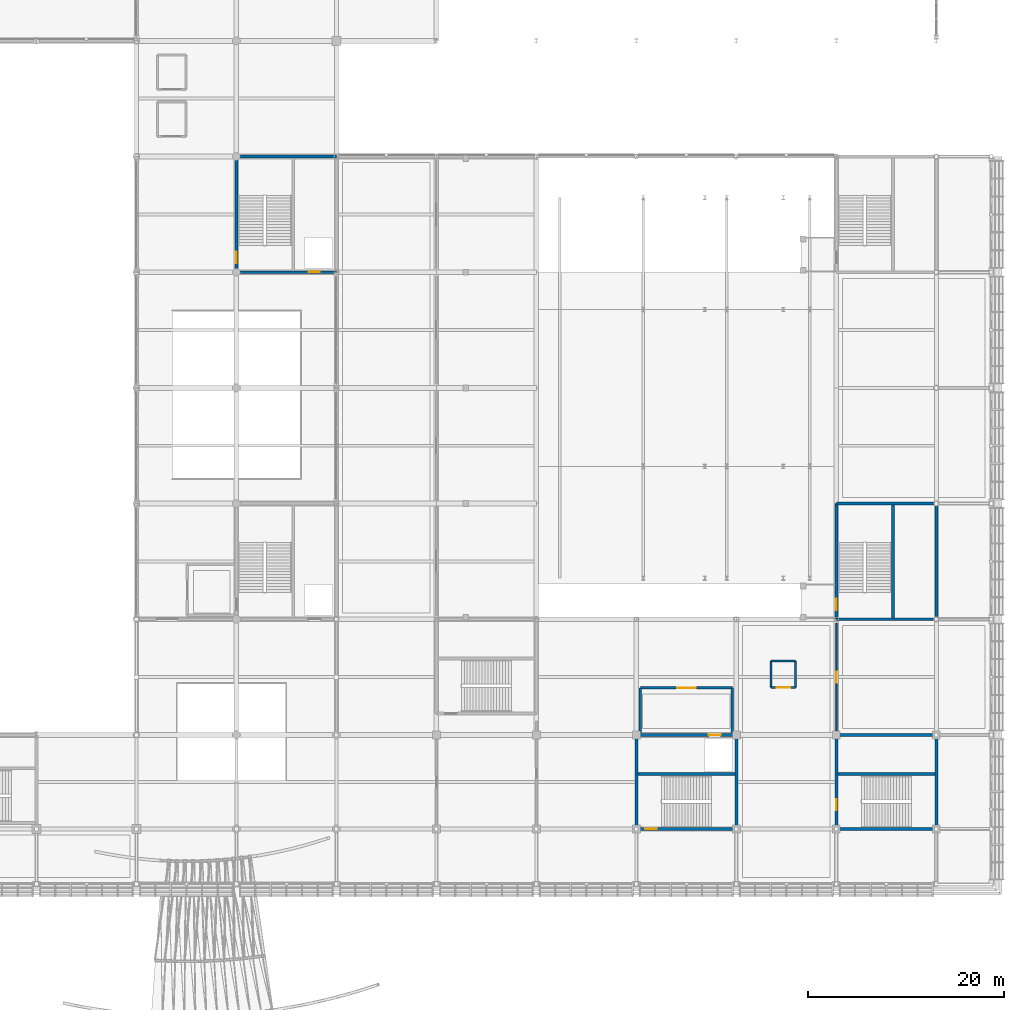
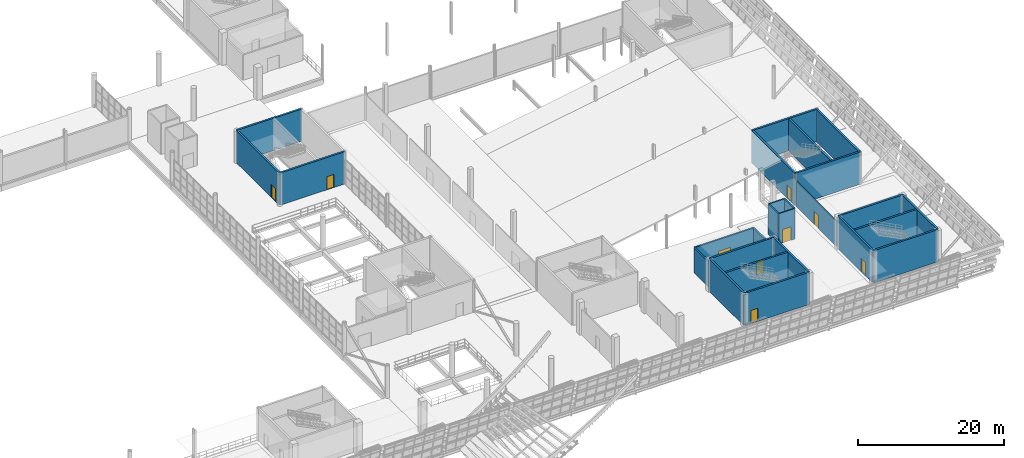
# One storey, part 134 of 175: 26 walls, 9 doors, 9 openings.
"""IFC4 building model written with IfcOpenShell, lengths in metres."""

from ifc_helpers import new_model, si_unit, direction, frame, frame_2d, origin, place, context, subcontext, project, spatial, rectangle, extrude, material, layer, layer_set, type_object, element, fill, save


model = new_model("IFC4")

# Units and contexts
model_context = context("Model", 3, precision=1e-05, world=origin(), true_north=direction((0.0, 1.0)))
body_context = subcontext(model_context, "Body", "Model", "MODEL_VIEW")
ifc_project = project(units=[si_unit("LENGTHUNIT", "METRE"), si_unit("AREAUNIT", "SQUARE_METRE"), si_unit("VOLUMEUNIT", "CUBIC_METRE"), si_unit("PLANEANGLEUNIT", "RADIAN"), si_unit("MASSUNIT", "GRAM", prefix="KILO")], contexts=[model_context])

# Site, building, storey
site_placement = place(None, origin())
site = spatial("IfcSite", under=ifc_project, at=site_placement, CompositionType="ELEMENT")
building_placement = place(site_placement, origin())
building = spatial("IfcBuilding", under=site, at=building_placement, Name="Brelvane Convention Centre", CompositionType="ELEMENT")
storey_placement = place(building_placement, frame((0.0, 0.0, 5.39990234375)))
storey = spatial("IfcBuildingStorey", under=building, at=storey_placement, Name="L01", CompositionType="ELEMENT", Elevation=5.39990234375)

# Wall, opening, door
ifc_material_1 = material(Name="Fire-Rated Acoustic Gypsum Partition Board Grade A")
ifc_layer_1 = layer(ifc_material_1, 0.1650390625)
ifc_layer_set_1 = layer_set([ifc_layer_1], Name="Fire-Rated Acoustic Gypsum Partition Board Grade A")
wall_type_1 = type_object("IfcWallType", Name="Interior Wall IW-AC-165", PredefinedType="PARTITIONING", material=ifc_layer_set_1)
wall_1_placement = place(storey_placement, frame((214.199951171875, 29.199951171875, 0.0), z_axis=(0.0, 0.0, 1.0), x_axis=(0.0, 1.0, 0.0)))
wall_1 = element("IfcWall", 1, at=wall_1_placement, inside=storey, type_object=wall_type_1, Name="Interior Partition L01-BUS1", PredefinedType="PARTITIONING", context=body_context, shape_type="SweptSolid", body=[
    extrude(rectangle(XDim=11.0, YDim=0.1650390625, at=frame_2d((5.5, 0.0))), origin(), (0.0, 0.0, 1.0), 4.2001953125),
])
opening_1_placement = place(wall_1_placement, frame((4.93994140625, 0.0, 0.0)))
opening_1 = element("IfcOpeningElement", 2, at=opening_1_placement, cuts=wall_1, Name="Opening DR-IN-13R", PredefinedType="OPENING", context=body_context, shape_type="SweptSolid", body=[
    extrude(rectangle(XDim=1.1201171875, YDim=2.179931640625, at=frame_2d((0.56005859375, 1.08984375))), frame((0.0, 0.092529296875, 0.0), z_axis=(0.0, -1.0, 0.0), x_axis=(1.0, 0.0, 0.0)), (0.0, 0.0, 1.0), 0.18505859375),
])
ifc_material_2 = material(Name="Solid-Core Fire-Rated Hardwood Leaf Grade 1", Category="wood")
door_type_1 = type_object("IfcDoorType", Name="Interior Door DR-IN-13R", OperationType="NOTDEFINED", PredefinedType="DOOR", material=ifc_material_2)
door_1_placement = place(opening_1_placement, origin())
door_1 = element("IfcDoor", 3, at=door_1_placement, inside=storey, type_object=door_type_1, Name="Interior Door L01-BUS1 (DR-IN-13R)", OperationType="SINGLE_SWING_RIGHT", OverallHeight=2.179931640625, OverallWidth=1.1201171875, PredefinedType="DOOR", context=body_context, shape_type="SweptSolid", body=[
    extrude(rectangle(XDim=1.1201171875, YDim=2.179931640625, at=frame_2d((0.56005859375, 1.08984375))), frame((0.0, 0.02490234375, 0.0), z_axis=(0.0, -1.0, 0.0), x_axis=(1.0, 0.0, 0.0)), (0.0, 0.0, 1.0), 0.050048828125),
])
fill(opening_1, door_1)

ifc_material_3 = material(Name="Concrete M40", Category="concrete")
ifc_layer_2 = layer(ifc_material_3, 0.219970703125)
ifc_layer_set_2 = layer_set([ifc_layer_2], Name="Concrete M40")
wall_type_2 = type_object("IfcWallType", Name="Interior Wall IW-FR-220", PredefinedType="PARTITIONING", material=ifc_layer_set_2)
wall_2_placement = place(storey_placement, frame((207.550048828125, 33.64990234375, 0.0), z_axis=(0.0, 0.0, 1.0), x_axis=(1.0, 0.0, 0.0)))
wall_2 = element("IfcWall", 4, at=wall_2_placement, inside=storey, type_object=wall_type_2, Name="Lift LP-05 Shaft Wall S (L01)", PredefinedType="PARTITIONING", context=body_context, shape_type="SweptSolid", body=[
    extrude(rectangle(XDim=2.5, YDim=0.219970703125, at=frame_2d((1.25, 0.0))), origin(), (0.0, 0.0, 1.0), 5.1201171875),
])
opening_2_placement = place(wall_2_placement, frame((0.574951171875, 0.0, 0.0)))
opening_2 = element("IfcOpeningElement", 5, at=opening_2_placement, cuts=wall_2, Name="Opening LD-03", PredefinedType="OPENING", context=body_context, shape_type="SweptSolid", body=[
    extrude(rectangle(XDim=1.35009765625, YDim=2.300048828125, at=frame_2d((0.675048828125, 1.14990234375))), frame((0.0, 0.119873046875, 0.0), z_axis=(0.0, -1.0, 0.0), x_axis=(1.0, 0.0, 0.0)), (0.0, 0.0, 1.0), 0.239990234375),
])
ifc_material_4 = material(Name="Galvanised Hollow-Metal Fire Door Steel E250", Category="steel")
door_type_2 = type_object("IfcDoorType", Name="Interior Door LD-03", OperationType="NOTDEFINED", PredefinedType="DOOR", material=ifc_material_4)
door_2_placement = place(opening_2_placement, origin())
door_2 = element("IfcDoor", 6, at=door_2_placement, inside=storey, type_object=door_type_2, Name="Lift LP-05 Landing Door (L01)", OperationType="DOUBLE_DOOR_SLIDING", OverallHeight=2.300048828125, OverallWidth=1.35009765625, PredefinedType="DOOR", context=body_context, shape_type="SweptSolid", body=[
    extrude(rectangle(XDim=1.35009765625, YDim=2.300048828125, at=frame_2d((0.675048828125, 1.14990234375))), frame((0.0, 0.02490234375, 0.0), z_axis=(0.0, -1.0, 0.0), x_axis=(1.0, 0.0, 0.0)), (0.0, 0.0, 1.0), 0.050048828125),
])
fill(opening_2, door_2)

# Walls
wall_3_placement = place(storey_placement, frame((207.550048828125, 36.35009765625, 0.0), z_axis=(0.0, 0.0, 1.0), x_axis=(1.0, 0.0, 0.0)))
element("IfcWall", 7, at=wall_3_placement, inside=storey, type_object=wall_type_2, Name="Lift LP-05 Shaft Wall N (L01)", PredefinedType="PARTITIONING", context=body_context, shape_type="SweptSolid", body=[
    extrude(rectangle(XDim=2.5, YDim=0.219970703125, at=frame_2d((1.25, 0.0))), origin(), (0.0, 0.0, 1.0), 5.1201171875),
])
for number, where, z_axis, x_axis, name in (
    (8, (207.550048828125, 33.64990234375, 0.0), (0.0, 0.0, 1.0), (0.0, 1.0, 0.0), "Lift LP-05 Shaft Wall W (L01)"),
    (9, (210.050048828125, 33.64990234375, 0.0), (0.0, 0.0, 1.0), (0.0, 1.0, 0.0), "Lift LP-05 Shaft Wall E (L01)"),
):
    element("IfcWall", number, at=place(storey_placement, frame(where, z_axis=z_axis, x_axis=x_axis)), inside=storey, type_object=wall_type_2, Name=name, PredefinedType="PARTITIONING", context=body_context, shape_type="SweptSolid", body=[
        extrude(rectangle(XDim=2.7001953125, YDim=0.219970703125, at=frame_2d((1.35009765625, 0.0))), origin(), (0.0, 0.0, 1.0), 5.1201171875),
    ])

# Wall, opening, door
ifc_material_5 = material(Name="Concrete M40", Category="concrete")
ifc_layer_3 = layer(ifc_material_5, 0.239990234375)
ifc_layer_set_3 = layer_set([ifc_layer_3], Name="Concrete M40")
wall_type_3 = type_object("IfcWallType", Name="Interior Wall IW-FR-240", PredefinedType="PARTITIONING", material=ifc_layer_set_3)
wall_4_placement = place(storey_placement, frame((194.199951171875, 33.60009765625, 0.0), z_axis=(0.0, 0.0, 1.0), x_axis=(1.0, 0.0, 0.0)))
wall_4 = element("IfcWall", 10, at=wall_4_placement, inside=storey, type_object=wall_type_3, Name="Firefighting Lobby C8 Wall N (L01)", PredefinedType="PARTITIONING", context=body_context, shape_type="SweptSolid", body=[
    extrude(rectangle(XDim=9.400146484375, YDim=0.239990234375, at=frame_2d((4.7001953125, 0.0))), origin(), (0.0, 0.0, 1.0), 4.2001953125),
])
opening_3_placement = place(wall_4_placement, frame((3.75, 0.0, 0.0)))
opening_3 = element("IfcOpeningElement", 11, at=opening_3_placement, cuts=wall_4, Name="Opening DR-FL-01", PredefinedType="OPENING", context=body_context, shape_type="SweptSolid", body=[
    extrude(rectangle(XDim=1.89990234375, YDim=2.25, at=frame_2d((0.949951171875, 1.125))), frame((0.0, 0.1298828125, 0.0), z_axis=(0.0, -1.0, 0.0), x_axis=(1.0, 0.0, 0.0)), (0.0, 0.0, 1.0), 0.260009765625),
])
ifc_material_6 = material(Name="Galvanised Hollow-Metal Fire Door Steel E250", Category="steel")
door_type_3 = type_object("IfcDoorType", Name="Interior Door DR-FL-01", OperationType="NOTDEFINED", PredefinedType="DOOR", material=ifc_material_6)
door_3_placement = place(opening_3_placement, origin())
door_3 = element("IfcDoor", 12, at=door_3_placement, inside=storey, type_object=door_type_3, Name="Firefighting Lobby C8 Smoke Door (L01)", OperationType="DOUBLE_DOOR_SINGLE_SWING", OverallHeight=2.25, OverallWidth=1.89990234375, PredefinedType="DOOR", context=body_context, shape_type="SweptSolid", body=[
    extrude(rectangle(XDim=1.89990234375, YDim=2.25, at=frame_2d((0.949951171875, 1.125))), frame((0.0, 0.02490234375, 0.0), z_axis=(0.0, -1.0, 0.0), x_axis=(1.0, 0.0, 0.0)), (0.0, 0.0, 1.0), 0.050048828125),
])
fill(opening_3, door_3)

# Walls
for number, where, z_axis, x_axis, name in (
    (13, (203.60009765625, 29.0, 0.0), (0.0, 0.0, 1.0), (0.0, 1.0, 0.0), "Firefighting Lobby C8 Wall E (L01)"),
    (14, (194.199951171875, 29.0, 0.0), (0.0, 0.0, 1.0), (0.0, 1.0, 0.0), "Firefighting Lobby C8 Wall W (L01)"),
):
    element("IfcWall", number, at=place(storey_placement, frame(where, z_axis=z_axis, x_axis=x_axis)), inside=storey, type_object=wall_type_3, Name=name, PredefinedType="PARTITIONING", context=body_context, shape_type="SweptSolid", body=[
        extrude(rectangle(XDim=4.60009765625, YDim=0.239990234375, at=frame_2d((2.300048828125, 0.0))), origin(), (0.0, 0.0, 1.0), 4.2001953125),
    ])

# Wall, opening, door
ifc_material_7 = material(Name="Concrete M50", Category="concrete")
ifc_layer_4 = layer(ifc_material_7, 0.300048828125)
ifc_layer_set_4 = layer_set([ifc_layer_4], Name="Concrete M50")
wall_type_4 = type_object("IfcWallType", Name="Structural Wall WL-CORE-300", PredefinedType="SHEAR", material=ifc_layer_set_4)
wall_5_placement = place(storey_placement, frame((153.0, 76.0, 0.0), z_axis=(0.0, 0.0, 1.0), x_axis=(1.0, 0.0, 0.0)))
wall_5 = element("IfcWall", 15, at=wall_5_placement, inside=storey, type_object=wall_type_4, Name="Core C4 Shear Wall S (L01)", PredefinedType="SHEAR", context=body_context, shape_type="SweptSolid", body=[
    extrude(rectangle(XDim=10.199951171875, YDim=0.300048828125, at=frame_2d((5.10009765625, 0.0))), origin(), (0.0, 0.0, 1.0), 5.400146484375),
])
opening_4_placement = place(wall_5_placement, frame((7.39990234375, 0.0, 0.0)))
opening_4 = element("IfcOpeningElement", 16, at=opening_4_placement, cuts=wall_5, Name="Opening LD-02", PredefinedType="OPENING", context=body_context, shape_type="SweptSolid", body=[
    extrude(rectangle(XDim=1.10009765625, YDim=2.199951171875, at=frame_2d((0.550048828125, 1.10009765625))), frame((0.0, 0.159912109375, 0.0), z_axis=(0.0, -1.0, 0.0), x_axis=(1.0, 0.0, 0.0)), (0.0, 0.0, 1.0), 0.320068359375),
])
ifc_material_8 = material(Name="Galvanised Hollow-Metal Fire Door Steel E250", Category="steel")
door_type_4 = type_object("IfcDoorType", Name="Interior Door LD-02", OperationType="NOTDEFINED", PredefinedType="DOOR", material=ifc_material_8)
door_4_placement = place(opening_4_placement, origin())
door_4 = element("IfcDoor", 17, at=door_4_placement, inside=storey, type_object=door_type_4, Name="Lift LP-02 Landing Door (L01)", OperationType="SLIDING_TO_RIGHT", OverallHeight=2.199951171875, OverallWidth=1.10009765625, PredefinedType="DOOR", context=body_context, shape_type="SweptSolid", body=[
    extrude(rectangle(XDim=1.10009765625, YDim=2.199951171875, at=frame_2d((0.550048828125, 1.10009765625))), frame((0.0, 0.02490234375, 0.0), z_axis=(0.0, -1.0, 0.0), x_axis=(1.0, 0.0, 0.0)), (0.0, 0.0, 1.0), 0.050048828125),
])
fill(opening_4, door_4)

# Wall
wall_6_placement = place(storey_placement, frame((153.0, 87.800048828125, 0.0), z_axis=(0.0, 0.0, 1.0), x_axis=(1.0, 0.0, 0.0)))
element("IfcWall", 18, at=wall_6_placement, inside=storey, type_object=wall_type_4, Name="Core C4 Shear Wall N (L01)", PredefinedType="SHEAR", context=body_context, shape_type="SweptSolid", body=[
    extrude(rectangle(XDim=10.199951171875, YDim=0.300048828125, at=frame_2d((5.10009765625, 0.0))), origin(), (0.0, 0.0, 1.0), 5.400146484375),
])

# Wall, opening, door
wall_7_placement = place(storey_placement, frame((153.0, 76.0, 0.0), z_axis=(0.0, 0.0, 1.0), x_axis=(0.0, 1.0, 0.0)))
wall_7 = element("IfcWall", 19, at=wall_7_placement, inside=storey, type_object=wall_type_4, Name="Core C4 Shear Wall W (L01)", PredefinedType="SHEAR", context=body_context, shape_type="SweptSolid", body=[
    extrude(rectangle(XDim=11.800048828125, YDim=0.300048828125, at=frame_2d((5.89990234375, 0.0))), origin(), (0.0, 0.0, 1.0), 5.400146484375),
])
opening_5_placement = place(wall_7_placement, frame((0.919921875, 0.0, 0.0)))
opening_5 = element("IfcOpeningElement", 20, at=opening_5_placement, cuts=wall_7, Name="Opening DR-IN-04L", PredefinedType="OPENING", context=body_context, shape_type="SweptSolid", body=[
    extrude(rectangle(XDim=1.159912109375, YDim=2.199951171875, at=frame_2d((0.580078125, 1.10009765625))), frame((0.0, 0.159912109375, 0.0), z_axis=(0.0, -1.0, 0.0), x_axis=(1.0, 0.0, 0.0)), (0.0, 0.0, 1.0), 0.320068359375),
])
ifc_material_9 = material(Name="Galvanised Hollow-Metal Fire Door Steel E250", Category="steel")
door_type_5 = type_object("IfcDoorType", Name="Interior Door DR-IN-04L", OperationType="NOTDEFINED", PredefinedType="DOOR", material=ifc_material_9)
door_5_placement = place(opening_5_placement, origin())
door_5 = element("IfcDoor", 21, at=door_5_placement, inside=storey, type_object=door_type_5, Name="Stair ST-04 Door (L01)", OperationType="SINGLE_SWING_LEFT", OverallHeight=2.199951171875, OverallWidth=1.159912109375, PredefinedType="DOOR", context=body_context, shape_type="SweptSolid", body=[
    extrude(rectangle(XDim=1.159912109375, YDim=2.199951171875, at=frame_2d((0.580078125, 1.10009765625))), frame((0.0, 0.02490234375, 0.0), z_axis=(0.0, -1.0, 0.0), x_axis=(1.0, 0.0, 0.0)), (0.0, 0.0, 1.0), 0.050048828125),
])
fill(opening_5, door_5)

wall_8_placement = place(storey_placement, frame((193.800048828125, 19.199951171875, 0.0), z_axis=(0.0, 0.0, 1.0), x_axis=(1.0, 0.0, 0.0)))
wall_8 = element("IfcWall", 22, at=wall_8_placement, inside=storey, type_object=wall_type_4, Name="Core C8 Shear Wall S (L01)", PredefinedType="SHEAR", context=body_context, shape_type="SweptSolid", body=[
    extrude(rectangle(XDim=10.199951171875, YDim=0.300048828125, at=frame_2d((5.10009765625, 0.0))), origin(), (0.0, 0.0, 1.0), 5.400146484375),
])
opening_6_placement = place(wall_8_placement, frame((0.919921875, 0.0, 0.0)))
opening_6 = element("IfcOpeningElement", 23, at=opening_6_placement, cuts=wall_8, Name="Opening DR-IN-04L", PredefinedType="OPENING", context=body_context, shape_type="SweptSolid", body=[
    extrude(rectangle(XDim=1.159912109375, YDim=2.199951171875, at=frame_2d((0.580078125, 1.10009765625))), frame((0.0, 0.159912109375, 0.0), z_axis=(0.0, -1.0, 0.0), x_axis=(1.0, 0.0, 0.0)), (0.0, 0.0, 1.0), 0.320068359375),
])
door_6_placement = place(opening_6_placement, origin())
door_6 = element("IfcDoor", 24, at=door_6_placement, inside=storey, type_object=door_type_5, Name="Stair ST-08 Door (L01)", OperationType="SINGLE_SWING_LEFT", OverallHeight=2.199951171875, OverallWidth=1.159912109375, PredefinedType="DOOR", context=body_context, shape_type="SweptSolid", body=[
    extrude(rectangle(XDim=1.159912109375, YDim=2.199951171875, at=frame_2d((0.580078125, 1.10009765625))), frame((0.0, 0.02490234375, 0.0), z_axis=(0.0, -1.0, 0.0), x_axis=(1.0, 0.0, 0.0)), (0.0, 0.0, 1.0), 0.050048828125),
])
fill(opening_6, door_6)

wall_9_placement = place(storey_placement, frame((193.800048828125, 28.800048828125, 0.0), z_axis=(0.0, 0.0, 1.0), x_axis=(1.0, 0.0, 0.0)))
wall_9 = element("IfcWall", 25, at=wall_9_placement, inside=storey, type_object=wall_type_4, Name="Core C8 Shear Wall N (L01)", PredefinedType="SHEAR", context=body_context, shape_type="SweptSolid", body=[
    extrude(rectangle(XDim=10.199951171875, YDim=0.300048828125, at=frame_2d((5.10009765625, 0.0))), origin(), (0.0, 0.0, 1.0), 5.400146484375),
])
opening_7_placement = place(wall_9_placement, frame((7.39990234375, 0.0, 0.0)))
opening_7 = element("IfcOpeningElement", 26, at=opening_7_placement, cuts=wall_9, Name="Opening LD-01", PredefinedType="OPENING", context=body_context, shape_type="SweptSolid", body=[
    extrude(rectangle(XDim=1.199951171875, YDim=2.25, at=frame_2d((0.60009765625, 1.125))), frame((0.0, 0.159912109375, 0.0), z_axis=(0.0, -1.0, 0.0), x_axis=(1.0, 0.0, 0.0)), (0.0, 0.0, 1.0), 0.320068359375),
])
ifc_material_10 = material(Name="Galvanised Hollow-Metal Fire Door Steel E250", Category="steel")
door_type_6 = type_object("IfcDoorType", Name="Interior Door LD-01", OperationType="NOTDEFINED", PredefinedType="DOOR", material=ifc_material_10)
door_7_placement = place(opening_7_placement, origin())
door_7 = element("IfcDoor", 27, at=door_7_placement, inside=storey, type_object=door_type_6, Name="Lift LF-05 Landing Door (L01)", OperationType="SLIDING_TO_LEFT", OverallHeight=2.25, OverallWidth=1.199951171875, PredefinedType="DOOR", context=body_context, shape_type="SweptSolid", body=[
    extrude(rectangle(XDim=1.199951171875, YDim=2.25, at=frame_2d((0.60009765625, 1.125))), frame((0.0, 0.02490234375, 0.0), z_axis=(0.0, -1.0, 0.0), x_axis=(1.0, 0.0, 0.0)), (0.0, 0.0, 1.0), 0.050048828125),
])
fill(opening_7, door_7)

# Walls
for number, where, z_axis, x_axis, name in (
    (28, (193.800048828125, 19.199951171875, 0.0), (0.0, 0.0, 1.0), (0.0, 1.0, 0.0), "Core C8 Shear Wall W (L01)"),
    (29, (204.0, 19.199951171875, 0.0), (0.0, 0.0, 1.0), (0.0, 1.0, 0.0), "Core C8 Shear Wall E (L01)"),
):
    element("IfcWall", number, at=place(storey_placement, frame(where, z_axis=z_axis, x_axis=x_axis)), inside=storey, type_object=wall_type_4, Name=name, PredefinedType="SHEAR", context=body_context, shape_type="SweptSolid", body=[
        extrude(rectangle(XDim=9.60009765625, YDim=0.300048828125, at=frame_2d((4.800048828125, 0.0))), origin(), (0.0, 0.0, 1.0), 5.400146484375),
    ])
wall_10_placement = place(storey_placement, frame((193.949951171875, 24.800048828125, 0.0), z_axis=(0.0, 0.0, 1.0), x_axis=(1.0, 0.0, 0.0)))
element("IfcWall", 30, at=wall_10_placement, inside=storey, type_object=wall_type_4, Name="Core C8 Shaft Divider Wall (L01)", PredefinedType="SHEAR", context=body_context, shape_type="SweptSolid", body=[
    extrude(rectangle(XDim=9.900146484375, YDim=0.300048828125, at=frame_2d((4.9501953125, 0.0))), origin(), (0.0, 0.0, 1.0), 5.400146484375),
])
for number, where, z_axis, x_axis, name in (
    (31, (214.199951171875, 19.199951171875, 0.0), (0.0, 0.0, 1.0), (1.0, 0.0, 0.0), "Stair Core ST-14 Wall S (L01)"),
    (32, (214.199951171875, 28.800048828125, 0.0), (0.0, 0.0, 1.0), (1.0, 0.0, 0.0), "Stair Core ST-14 Wall N (L01)"),
):
    element("IfcWall", number, at=place(storey_placement, frame(where, z_axis=z_axis, x_axis=x_axis)), inside=storey, type_object=wall_type_4, Name=name, PredefinedType="SHEAR", context=body_context, shape_type="SweptSolid", body=[
        extrude(rectangle(XDim=10.199951171875, YDim=0.300048828125, at=frame_2d((5.10009765625, 0.0))), origin(), (0.0, 0.0, 1.0), 5.400146484375),
    ])

# Wall, opening, door
wall_11_placement = place(storey_placement, frame((214.199951171875, 19.199951171875, 0.0), z_axis=(0.0, 0.0, 1.0), x_axis=(0.0, 1.0, 0.0)))
wall_11 = element("IfcWall", 33, at=wall_11_placement, inside=storey, type_object=wall_type_4, Name="Stair Core ST-14 Wall W (L01)", PredefinedType="SHEAR", context=body_context, shape_type="SweptSolid", body=[
    extrude(rectangle(XDim=9.60009765625, YDim=0.300048828125, at=frame_2d((4.800048828125, 0.0))), origin(), (0.0, 0.0, 1.0), 5.400146484375),
])
opening_8_placement = place(wall_11_placement, frame((1.89990234375, 0.0, 0.0)))
opening_8 = element("IfcOpeningElement", 34, at=opening_8_placement, cuts=wall_11, Name="Opening DR-IN-04L", PredefinedType="OPENING", context=body_context, shape_type="SweptSolid", body=[
    extrude(rectangle(XDim=1.159912109375, YDim=2.199951171875, at=frame_2d((0.580078125, 1.10009765625))), frame((0.0, 0.159912109375, 0.0), z_axis=(0.0, -1.0, 0.0), x_axis=(1.0, 0.0, 0.0)), (0.0, 0.0, 1.0), 0.320068359375),
])
door_8_placement = place(opening_8_placement, origin())
door_8 = element("IfcDoor", 35, at=door_8_placement, inside=storey, type_object=door_type_5, Name="Stair ST-14 Entry Door (L01)", OperationType="SINGLE_SWING_LEFT", OverallHeight=2.199951171875, OverallWidth=1.159912109375, PredefinedType="DOOR", context=body_context, shape_type="SweptSolid", body=[
    extrude(rectangle(XDim=1.159912109375, YDim=2.199951171875, at=frame_2d((0.580078125, 1.10009765625))), frame((0.0, 0.02490234375, 0.0), z_axis=(0.0, -1.0, 0.0), x_axis=(1.0, 0.0, 0.0)), (0.0, 0.0, 1.0), 0.050048828125),
])
fill(opening_8, door_8)

# Walls
wall_12_placement = place(storey_placement, frame((224.39990234375, 19.199951171875, 0.0), z_axis=(0.0, 0.0, 1.0), x_axis=(0.0, 1.0, 0.0)))
element("IfcWall", 36, at=wall_12_placement, inside=storey, type_object=wall_type_4, Name="Stair Core ST-14 Wall E (L01)", PredefinedType="SHEAR", context=body_context, shape_type="SweptSolid", body=[
    extrude(rectangle(XDim=9.60009765625, YDim=0.300048828125, at=frame_2d((4.800048828125, 0.0))), origin(), (0.0, 0.0, 1.0), 5.400146484375),
])
wall_13_placement = place(storey_placement, frame((214.35009765625, 24.800048828125, 0.0), z_axis=(0.0, 0.0, 1.0), x_axis=(1.0, 0.0, 0.0)))
element("IfcWall", 37, at=wall_13_placement, inside=storey, type_object=wall_type_4, Name="Stair Core ST-14 Well Wall (L01)", PredefinedType="SHEAR", context=body_context, shape_type="SweptSolid", body=[
    extrude(rectangle(XDim=9.89990234375, YDim=0.300048828125, at=frame_2d((4.949951171875, 0.0))), origin(), (0.0, 0.0, 1.0), 5.400146484375),
])
for number, where, z_axis, x_axis, name in (
    (38, (214.199951171875, 40.60009765625, 0.0), (0.0, 0.0, 1.0), (1.0, 0.0, 0.0), "Stair Core ST-15 Wall S (L01)"),
    (39, (214.199951171875, 52.39990234375, 0.0), (0.0, 0.0, 1.0), (1.0, 0.0, 0.0), "Stair Core ST-15 Wall N (L01)"),
):
    element("IfcWall", number, at=place(storey_placement, frame(where, z_axis=z_axis, x_axis=x_axis)), inside=storey, type_object=wall_type_4, Name=name, PredefinedType="SHEAR", context=body_context, shape_type="SweptSolid", body=[
        extrude(rectangle(XDim=10.199951171875, YDim=0.300048828125, at=frame_2d((5.10009765625, 0.0))), origin(), (0.0, 0.0, 1.0), 5.400146484375),
    ])

# Wall, opening, door
wall_14_placement = place(storey_placement, frame((214.199951171875, 40.60009765625, 0.0), z_axis=(0.0, 0.0, 1.0), x_axis=(0.0, 1.0, 0.0)))
wall_14 = element("IfcWall", 40, at=wall_14_placement, inside=storey, type_object=wall_type_4, Name="Stair Core ST-15 Wall W (L01)", PredefinedType="SHEAR", context=body_context, shape_type="SweptSolid", body=[
    extrude(rectangle(XDim=11.7998046875, YDim=0.300048828125, at=frame_2d((5.89990234375, 0.0))), origin(), (0.0, 0.0, 1.0), 5.400146484375),
])
opening_9_placement = place(wall_14_placement, frame((0.919921875, 0.0, 0.0)))
opening_9 = element("IfcOpeningElement", 41, at=opening_9_placement, cuts=wall_14, Name="Opening DR-IN-04L", PredefinedType="OPENING", context=body_context, shape_type="SweptSolid", body=[
    extrude(rectangle(XDim=1.159912109375, YDim=2.199951171875, at=frame_2d((0.580078125, 1.10009765625))), frame((0.0, 0.159912109375, 0.0), z_axis=(0.0, -1.0, 0.0), x_axis=(1.0, 0.0, 0.0)), (0.0, 0.0, 1.0), 0.320068359375),
])
door_9_placement = place(opening_9_placement, origin())
door_9 = element("IfcDoor", 42, at=door_9_placement, inside=storey, type_object=door_type_5, Name="Stair ST-15 Entry Door (L01)", OperationType="SINGLE_SWING_LEFT", OverallHeight=2.199951171875, OverallWidth=1.159912109375, PredefinedType="DOOR", context=body_context, shape_type="SweptSolid", body=[
    extrude(rectangle(XDim=1.159912109375, YDim=2.199951171875, at=frame_2d((0.580078125, 1.10009765625))), frame((0.0, 0.02490234375, 0.0), z_axis=(0.0, -1.0, 0.0), x_axis=(1.0, 0.0, 0.0)), (0.0, 0.0, 1.0), 0.050048828125),
])
fill(opening_9, door_9)

# Walls
wall_15_placement = place(storey_placement, frame((224.39990234375, 40.60009765625, 0.0), z_axis=(0.0, 0.0, 1.0), x_axis=(0.0, 1.0, 0.0)))
element("IfcWall", 43, at=wall_15_placement, inside=storey, type_object=wall_type_4, Name="Stair Core ST-15 Wall E (L01)", PredefinedType="SHEAR", context=body_context, shape_type="SweptSolid", body=[
    extrude(rectangle(XDim=11.7998046875, YDim=0.300048828125, at=frame_2d((5.89990234375, 0.0))), origin(), (0.0, 0.0, 1.0), 5.400146484375),
])
wall_16_placement = place(storey_placement, frame((220.0, 40.75, 0.0), z_axis=(0.0, 0.0, 1.0), x_axis=(0.0, 1.0, 0.0)))
element("IfcWall", 44, at=wall_16_placement, inside=storey, type_object=wall_type_4, Name="Stair Core ST-15 Well Wall (L01)", PredefinedType="SHEAR", context=body_context, shape_type="SweptSolid", body=[
    extrude(rectangle(XDim=11.5, YDim=0.300048828125, at=frame_2d((5.75, 0.0))), origin(), (0.0, 0.0, 1.0), 5.400146484375),
])

save(model, "model.ifc")
